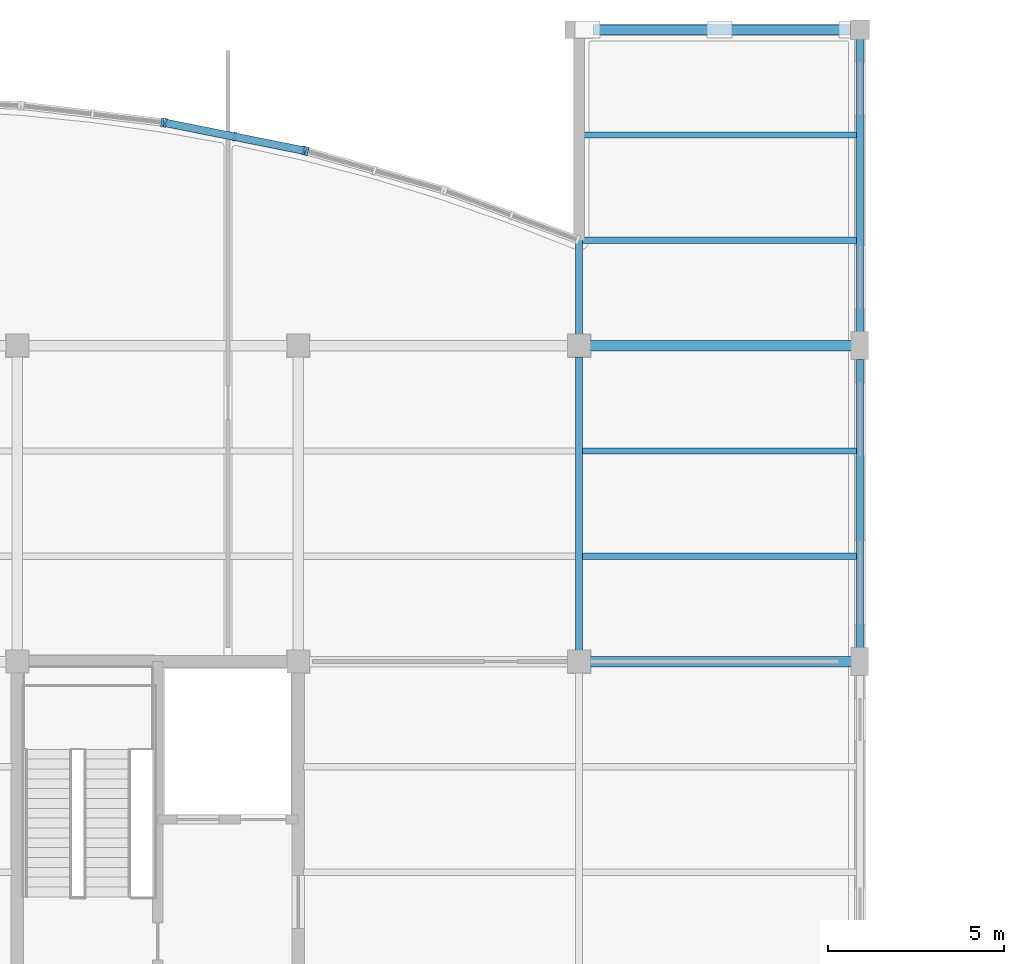
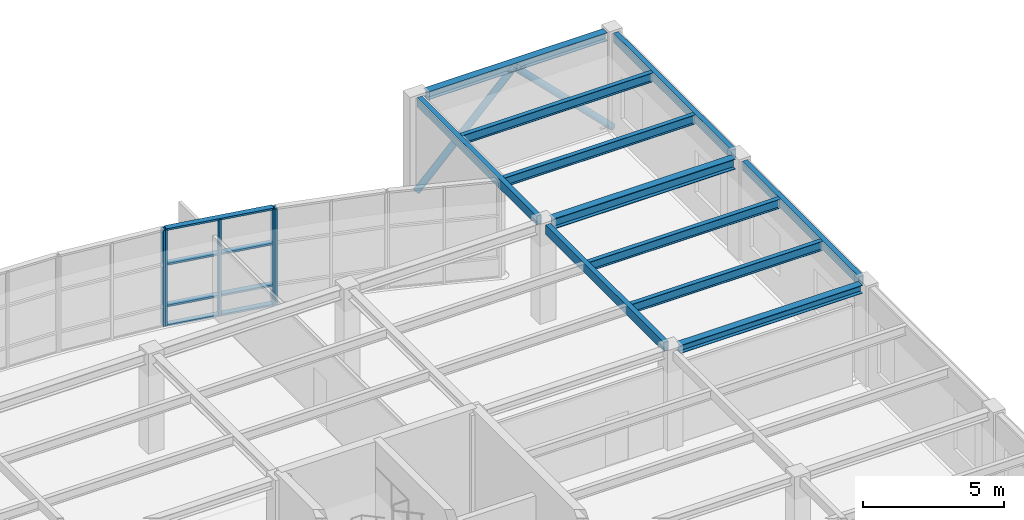
# One storey, part 5 of 16: 11 beams, 11 members, 3 elements without a shape of their own.
"""IFC4 building model written with IfcOpenShell, lengths in metres."""

from ifc_helpers import new_model, si_unit, direction, frame, origin, origin_2d, place, context, subcontext, project, spatial, rectangle, hollow_rectangle, hollow_circle, i_section, extrude, material, layer, layer_set, material_profile, profile_set, type_object, element, aggregate, save


model = new_model("IFC4")

# Units and contexts
model_context = context("Model", 3, precision=1e-05, world=origin(), true_north=direction((0.0, 1.0)))
body_context = subcontext(model_context, "Body", "Model", "MODEL_VIEW")
ifc_project = project(units=[si_unit("LENGTHUNIT", "METRE"), si_unit("AREAUNIT", "SQUARE_METRE"), si_unit("VOLUMEUNIT", "CUBIC_METRE"), si_unit("PLANEANGLEUNIT", "RADIAN"), si_unit("MASSUNIT", "GRAM", prefix="KILO")], contexts=[model_context])

# Site, building, storey
site_placement = place(None, origin())
site = spatial("IfcSite", under=ifc_project, at=site_placement, CompositionType="ELEMENT")
building_placement = place(site_placement, origin())
building = spatial("IfcBuilding", under=site, at=building_placement, Name="Keelwater Ferry Terminal", CompositionType="ELEMENT")
storey_placement = place(building_placement, frame((0.0, 0.0, 15.0)))
storey = spatial("IfcBuildingStorey", under=building, at=storey_placement, Name="L03", CompositionType="ELEMENT", Elevation=15.0)

# Members
ifc_material_1 = material(Name="Steel S355", Category="steel")
ifc_material_profile_1 = material_profile(ifc_material_1, hollow_circle(Radius=0.136474609375, WallThickness=0.012451171875, at=origin_2d()), Name="CHS 273x12.5")
ifc_profile_set_1 = profile_set([ifc_material_profile_1], Name="Steel S355")
member_type_1 = type_object("IfcMemberType", Name="BR2 CHS 273x12.5", PredefinedType="BRACE", material=ifc_profile_set_1)
for number, where, z_axis, x_axis, name in (
    (1, (172.0, 126.0, 0.0), (0.707992080642, 0.0, 0.706220371944), (0.0, 1.0, 0.0), "Structural Member MB-L03-0585"),
    (2, (180.0, 126.0, 0.0), (-0.707992080642, 0.0, 0.706220371944), (0.0, -1.0, 0.0), "Structural Member MB-L03-0586"),
):
    element("IfcMember", number, at=place(storey_placement, frame(where, z_axis=z_axis, x_axis=x_axis)), inside=storey, type_object=member_type_1, Name=name, PredefinedType="BRACE", context=body_context, shape_type="SweptSolid", body=[
        extrude(hollow_circle(Radius=0.136474609375, WallThickness=0.012451171875, at=origin_2d()), origin(), (0.0, 0.0, 1.0), 5.64990234375),
    ])

# Curtain wall, member
ifc_material_2 = material(Name="Thermally broken unitised aluminium and triple glass", Category="aluminium")
ifc_layer = layer(ifc_material_2, 0.179931640625)
ifc_layer_set = layer_set([ifc_layer], Name="Thermally broken unitised aluminium and triple glass")
curtain_wall_type = type_object("IfcCurtainWallType", Name="CW-22 Unitised Curtain Wall 4015x4150", PredefinedType="USERDEFINED", material=ifc_layer_set)
curtain_wall_1_placement = place(storey_placement, origin())
curtain_wall_1 = element("IfcCurtainWall", 3, at=curtain_wall_1_placement, inside=storey, type_object=curtain_wall_type, Name="Unitised Curtain Wall CW-L03-204", ObjectType="UNITISED CURTAIN WALL", PredefinedType="USERDEFINED")
ifc_material_3 = material(Name="Aluminium mullion", Category="aluminium")
ifc_material_profile_2 = material_profile(ifc_material_3, rectangle(XDim=0.080078125, YDim=0.25, at=origin_2d()), Name="CWM-04")
ifc_profile_set_2 = profile_set([ifc_material_profile_2], Name="Aluminium mullion")
member_type_2 = type_object("IfcMemberType", Name="CWM-04 Curtain Mullion 80x250", PredefinedType="MULLION", material=ifc_profile_set_2)
member_1_placement = place(storey_placement, frame((164.24609375, 122.535888671875, 0.0), z_axis=(0.0, 0.0, 1.0), x_axis=(-0.962029778706, 0.272944508797, 0.0)))
member_1 = element("IfcMember", 4, at=member_1_placement, type_object=member_type_2, Name="CW-L03-204 Mullion 3", PredefinedType="MULLION", context=body_context, shape_type="SweptSolid", body=[
    extrude(rectangle(XDim=0.080078125, YDim=0.25, at=origin_2d()), origin(), (0.0, 0.0, 1.0), 4.14990234375),
])
aggregate(curtain_wall_1, [member_1])

# Curtain wall, members
curtain_wall_2_placement = place(storey_placement, origin())
curtain_wall_2 = element("IfcCurtainWall", 5, at=curtain_wall_2_placement, inside=storey, type_object=curtain_wall_type, Name="Unitised Curtain Wall CW-L03-205", ObjectType="UNITISED CURTAIN WALL", PredefinedType="USERDEFINED")
member_2_placement = place(storey_placement, frame((164.158935546875, 122.556884765625, 0.0), z_axis=(0.0, 0.0, 1.0), x_axis=(-0.98059983046, 0.196020336958, 0.0)))
member_2 = element("IfcMember", 6, at=member_2_placement, type_object=member_type_2, Name="CW-L03-205 Mullion 1", PredefinedType="MULLION", context=body_context, shape_type="SweptSolid", body=[
    extrude(rectangle(XDim=0.080078125, YDim=0.25, at=origin_2d()), origin(), (0.0, 0.0, 1.0), 4.14990234375),
])
member_3_placement = place(storey_placement, frame((162.1904296875, 122.950439453125, 0.0), z_axis=(0.0, 0.0, 1.0), x_axis=(-0.98059983046, 0.196020336958, 0.0)))
member_3 = element("IfcMember", 7, at=member_3_placement, type_object=member_type_2, Name="CW-L03-205 Mullion 2", PredefinedType="MULLION", context=body_context, shape_type="SweptSolid", body=[
    extrude(rectangle(XDim=0.080078125, YDim=0.25, at=origin_2d()), origin(), (0.0, 0.0, 1.0), 4.14990234375),
])
member_4_placement = place(storey_placement, frame((160.221923828125, 123.343994140625, 0.0), z_axis=(0.0, 0.0, 1.0), x_axis=(-0.98059983046, 0.196020336958, 0.0)))
member_4 = element("IfcMember", 8, at=member_4_placement, type_object=member_type_2, Name="CW-L03-205 Mullion 3", PredefinedType="MULLION", context=body_context, shape_type="SweptSolid", body=[
    extrude(rectangle(XDim=0.080078125, YDim=0.25, at=origin_2d()), origin(), (0.0, 0.0, 1.0), 4.14990234375),
])

# Curtain wall, member
curtain_wall_3_placement = place(storey_placement, origin())
curtain_wall_3 = element("IfcCurtainWall", 9, at=curtain_wall_3_placement, inside=storey, type_object=curtain_wall_type, Name="Unitised Curtain Wall CW-L03-206", ObjectType="UNITISED CURTAIN WALL", PredefinedType="USERDEFINED")
member_5_placement = place(storey_placement, frame((160.133056640625, 123.35791015625, 0.0), z_axis=(0.0, 0.0, 1.0), x_axis=(-0.992974342459, 0.118329857676, 0.0)))
member_5 = element("IfcMember", 10, at=member_5_placement, type_object=member_type_2, Name="CW-L03-206 Mullion 1", PredefinedType="MULLION", context=body_context, shape_type="SweptSolid", body=[
    extrude(rectangle(XDim=0.080078125, YDim=0.25, at=origin_2d()), origin(), (0.0, 0.0, 1.0), 4.14990234375),
])
aggregate(curtain_wall_3, [member_5])

# Member
ifc_material_4 = material(Name="Aluminium mullion", Category="aluminium")
ifc_material_profile_3 = material_profile(ifc_material_4, rectangle(XDim=0.219970703125, YDim=0.080078125, at=origin_2d()), Name="CWT-04")
ifc_profile_set_3 = profile_set([ifc_material_profile_3], Name="Aluminium mullion")
member_type_3 = type_object("IfcMemberType", Name="CWT-04 Curtain Transom 80x220", PredefinedType="USERDEFINED", material=ifc_profile_set_3)
member_6_placement = place(storey_placement, frame((164.158935546875, 122.556884765625, 0.0), z_axis=(-0.980594705866, 0.196045971209, 0.0), x_axis=(-0.196045971209, -0.980594705866, 0.0)))
member_6 = element("IfcMember", 11, at=member_6_placement, type_object=member_type_3, Name="CW-L03-205 Transom 1", ObjectType="TRANSOM", PredefinedType="USERDEFINED", context=body_context, shape_type="SweptSolid", body=[
    extrude(rectangle(XDim=0.219970703125, YDim=0.080078125, at=origin_2d()), origin(), (0.0, 0.0, 1.0), 4.014892578125),
])

member_7_placement = place(storey_placement, frame((164.158935546875, 122.556884765625, 0.85009765625), z_axis=(-0.980594705866, 0.196045971209, 0.0), x_axis=(-0.196045971209, -0.980594705866, 0.0)))
member_7 = element("IfcMember", 12, at=member_7_placement, type_object=member_type_3, Name="CW-L03-205 Transom 2", ObjectType="TRANSOM", PredefinedType="USERDEFINED", context=body_context, shape_type="SweptSolid", body=[
    extrude(rectangle(XDim=0.219970703125, YDim=0.080078125, at=origin_2d()), origin(), (0.0, 0.0, 1.0), 4.014892578125),
])

member_8_placement = place(storey_placement, frame((164.158935546875, 122.556884765625, 2.64990234375), z_axis=(-0.980594705866, 0.196045971209, 0.0), x_axis=(-0.196045971209, -0.980594705866, 0.0)))
member_8 = element("IfcMember", 13, at=member_8_placement, type_object=member_type_3, Name="CW-L03-205 Transom 3", ObjectType="TRANSOM", PredefinedType="USERDEFINED", context=body_context, shape_type="SweptSolid", body=[
    extrude(rectangle(XDim=0.219970703125, YDim=0.080078125, at=origin_2d()), origin(), (0.0, 0.0, 1.0), 4.014892578125),
])

member_9_placement = place(storey_placement, frame((164.158935546875, 122.556884765625, 4.14990234375), z_axis=(-0.980594705866, 0.196045971209, 0.0), x_axis=(-0.196045971209, -0.980594705866, 0.0)))
member_9 = element("IfcMember", 14, at=member_9_placement, type_object=member_type_3, Name="CW-L03-205 Transom 4", ObjectType="TRANSOM", PredefinedType="USERDEFINED", context=body_context, shape_type="SweptSolid", body=[
    extrude(rectangle(XDim=0.219970703125, YDim=0.080078125, at=origin_2d()), origin(), (0.0, 0.0, 1.0), 4.014892578125),
])

aggregate(curtain_wall_2, [member_2, member_3, member_4, member_6, member_7, member_8, member_9])

# Beams
ifc_material_5 = material(Name="Steel S355", Category="steel")
ifc_material_profile_4 = material_profile(ifc_material_5, i_section(OverallWidth=0.300048828125, OverallDepth=0.449951171875, WebThickness=0.013916015625, FlangeThickness=0.02587890625, at=origin_2d()), Name="HEB 450")
ifc_profile_set_4 = profile_set([ifc_material_profile_4], Name="Steel S355")
beam_type_1 = type_object("IfcBeamType", Name="G6 HEB 450", PredefinedType="BEAM", material=ifc_profile_set_4)
beam_1_placement = place(storey_placement, frame((172.318115234375, 117.0, 4.014892578125), z_axis=(1.0, 0.0, 0.0), x_axis=(0.0, 1.0, 0.0)))
element("IfcBeam", 15, at=beam_1_placement, inside=storey, type_object=beam_type_1, Name="Beam BM-L03-1328", PredefinedType="BEAM", context=body_context, shape_type="SweptSolid", body=[
    extrude(i_section(OverallWidth=0.300048828125, OverallDepth=0.449951171875, WebThickness=0.013916015625, FlangeThickness=0.02587890625, at=origin_2d()), origin(), (0.0, 0.0, 1.0), 7.436767578125),
])
ifc_material_6 = material(Name="Steel S355", Category="steel")
ifc_material_profile_5 = material_profile(ifc_material_6, i_section(OverallWidth=0.179931640625, OverallDepth=0.39990234375, WebThickness=0.008544921875, FlangeThickness=0.013427734375, at=origin_2d()), Name="IPE 400")
ifc_profile_set_5 = profile_set([ifc_material_profile_5], Name="Steel S355")
beam_type_2 = type_object("IfcBeamType", Name="J5 IPE 400", PredefinedType="JOIST", material=ifc_profile_set_5)
for number, where, z_axis, x_axis, name in (
    (16, (172.10009765625, 111.0, 4.0400390625), (1.0, 0.0, 0.0), (0.0, 1.0, 0.0), "Beam BM-L03-1450"),
    (17, (172.10009765625, 114.0, 4.0400390625), (1.0, 0.0, 0.0), (0.0, 1.0, 0.0), "Beam BM-L03-1451"),
    (18, (172.10009765625, 120.0, 4.0400390625), (1.0, 0.0, 0.0), (0.0, 1.0, 0.0), "Beam BM-L03-1452"),
    (19, (172.10009765625, 123.0, 4.0400390625), (1.0, 0.0, 0.0), (0.0, 1.0, 0.0), "Beam BM-L03-1453"),
):
    element("IfcBeam", number, at=place(storey_placement, frame(where, z_axis=z_axis, x_axis=x_axis)), inside=storey, type_object=beam_type_2, Name=name, PredefinedType="JOIST", context=body_context, shape_type="SweptSolid", body=[
        extrude(i_section(OverallWidth=0.179931640625, OverallDepth=0.39990234375, WebThickness=0.008544921875, FlangeThickness=0.013427734375, at=origin_2d()), origin(), (0.0, 0.0, 1.0), 7.7998046875),
    ])
ifc_material_7 = material(Name="Steel S355", Category="steel")
ifc_material_profile_6 = material_profile(ifc_material_7, i_section(OverallWidth=0.300048828125, OverallDepth=0.35009765625, WebThickness=0.010009765625, FlangeThickness=0.017578125, at=origin_2d()), Name="HEA 360")
ifc_profile_set_6 = profile_set([ifc_material_profile_6], Name="Steel S355")
beam_type_3 = type_object("IfcBeamType", Name="SP1E HEA 360", PredefinedType="SPANDREL", material=ifc_profile_set_6)
beam_2_placement = place(storey_placement, frame((172.318115234375, 108.0, 4.06494140625), z_axis=(1.0, 0.0, 0.0), x_axis=(0.0, 1.0, 0.0)))
element("IfcBeam", 20, at=beam_2_placement, inside=storey, type_object=beam_type_3, Name="Beam BM-L03-1320", PredefinedType="SPANDREL", context=body_context, shape_type="SweptSolid", body=[
    extrude(i_section(OverallWidth=0.300048828125, OverallDepth=0.35009765625, WebThickness=0.010009765625, FlangeThickness=0.017578125, at=origin_2d()), origin(), (0.0, 0.0, 1.0), 7.436767578125),
])
beam_3_placement = place(storey_placement, frame((172.39208984375, 126.0, 4.06494140625), z_axis=(1.0, 0.0, 0.0), x_axis=(0.0, 1.0, 0.0)))
element("IfcBeam", 21, at=beam_3_placement, inside=storey, type_object=beam_type_3, Name="Beam BM-L03-1331", PredefinedType="SPANDREL", context=body_context, shape_type="SweptSolid", body=[
    extrude(i_section(OverallWidth=0.300048828125, OverallDepth=0.35009765625, WebThickness=0.010009765625, FlangeThickness=0.017578125, at=origin_2d()), origin(), (0.0, 0.0, 1.0), 7.337890625),
])
ifc_material_8 = material(Name="Steel S355", Category="steel")
ifc_material_profile_7 = material_profile(ifc_material_8, hollow_rectangle(XDim=0.199951171875, YDim=0.39990234375, WallThickness=0.01611328125, at=origin_2d()), Name="RHS 400x200x16")
ifc_profile_set_7 = profile_set([ifc_material_profile_7], Name="Steel S355")
beam_type_4 = type_object("IfcBeamType", Name="SP3E RHS 400x200x16", PredefinedType="SPANDREL", material=ifc_profile_set_7)
beam_4_placement = place(storey_placement, frame((172.0, 108.318115234375, 4.0400390625), z_axis=(0.0, 1.0, 0.0), x_axis=(-1.0, 0.0, 0.0)))
element("IfcBeam", 22, at=beam_4_placement, inside=storey, type_object=beam_type_4, Name="Beam BM-L03-1373", PredefinedType="SPANDREL", context=body_context, shape_type="SweptSolid", body=[
    extrude(hollow_rectangle(XDim=0.199951171875, YDim=0.39990234375, WallThickness=0.01611328125, at=origin_2d()), origin(), (0.0, 0.0, 1.0), 8.36376953125),
])
beam_5_placement = place(storey_placement, frame((172.0, 117.318115234375, 4.0400390625), z_axis=(0.0, 1.0, 0.0), x_axis=(-1.0, 0.0, 0.0)))
element("IfcBeam", 23, at=beam_5_placement, inside=storey, type_object=beam_type_4, Name="Beam BM-L03-1374", PredefinedType="SPANDREL", context=body_context, shape_type="SweptSolid", body=[
    extrude(hollow_rectangle(XDim=0.199951171875, YDim=0.39990234375, WallThickness=0.01611328125, at=origin_2d()), origin(), (0.0, 0.0, 1.0), 8.436767578125),
])
beam_6_placement = place(storey_placement, frame((180.0, 108.39208984375, 4.0400390625), z_axis=(0.0, 1.0, 0.0), x_axis=(-1.0, 0.0, 0.0)))
element("IfcBeam", 24, at=beam_6_placement, inside=storey, type_object=beam_type_4, Name="Beam BM-L03-1377", PredefinedType="SPANDREL", context=body_context, shape_type="SweptSolid", body=[
    extrude(hollow_rectangle(XDim=0.199951171875, YDim=0.39990234375, WallThickness=0.01611328125, at=origin_2d()), origin(), (0.0, 0.0, 1.0), 8.2158203125),
])
beam_7_placement = place(storey_placement, frame((180.0, 117.39208984375, 4.0400390625), z_axis=(0.0, 1.0, 0.0), x_axis=(-1.0, 0.0, 0.0)))
element("IfcBeam", 25, at=beam_7_placement, inside=storey, type_object=beam_type_4, Name="Beam BM-L03-1378", PredefinedType="SPANDREL", context=body_context, shape_type="SweptSolid", body=[
    extrude(hollow_rectangle(XDim=0.199951171875, YDim=0.39990234375, WallThickness=0.01611328125, at=origin_2d()), origin(), (0.0, 0.0, 1.0), 8.337890625),
])

save(model, "model.ifc")
